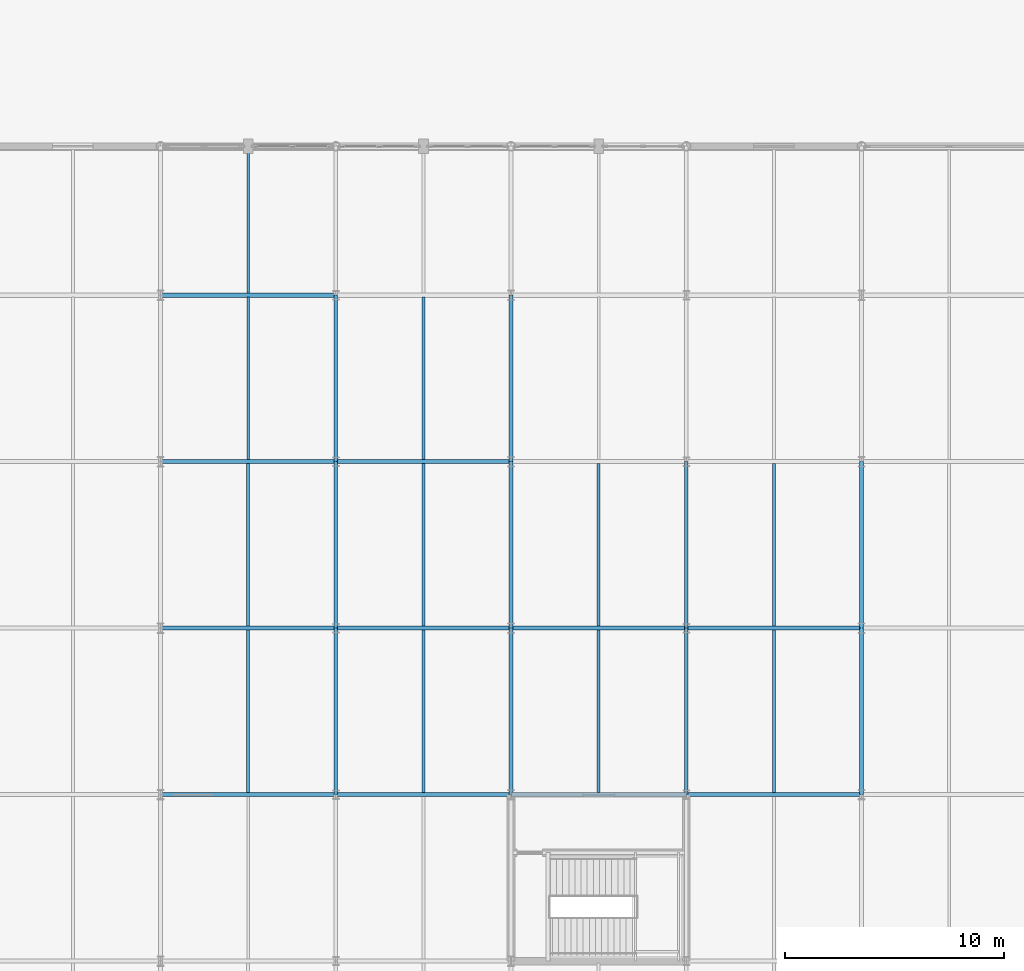
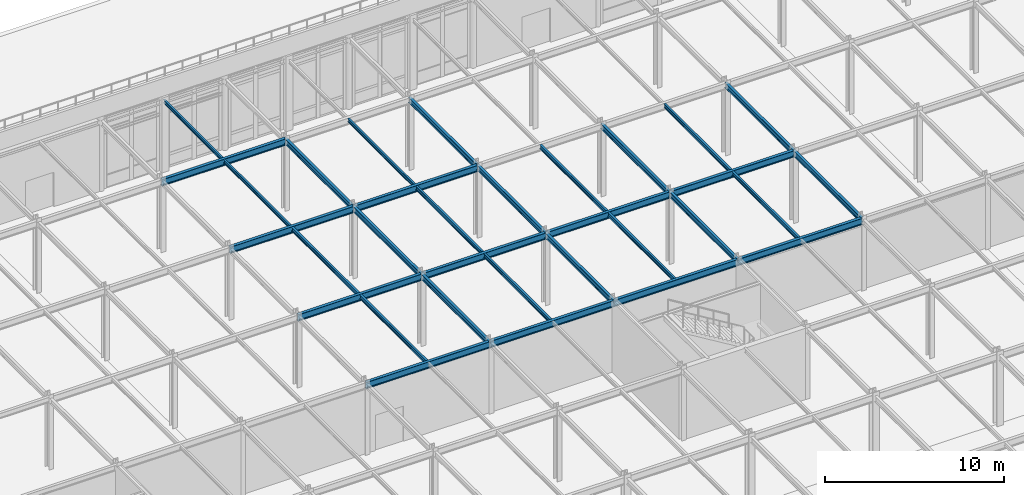
# One storey, part 46 of 113: 32 beams.
"""IFC4 building model written with IfcOpenShell, lengths in metres."""

from ifc_helpers import new_model, si_unit, direction, frame, origin, origin_2d, place, context, subcontext, project, spatial, i_section, extrude, material, material_profile, profile_set, type_object, element, save


model = new_model("IFC4")

# Units and contexts
model_context = context("Model", 3, precision=1e-05, world=origin(), true_north=direction((0.0, 1.0)))
body_context = subcontext(model_context, "Body", "Model", "MODEL_VIEW")
ifc_project = project(units=[si_unit("LENGTHUNIT", "METRE"), si_unit("AREAUNIT", "SQUARE_METRE"), si_unit("VOLUMEUNIT", "CUBIC_METRE"), si_unit("PLANEANGLEUNIT", "RADIAN"), si_unit("MASSUNIT", "GRAM", prefix="KILO")], contexts=[model_context])

# Site, building, storey
site_placement = place(None, origin())
site = spatial("IfcSite", under=ifc_project, at=site_placement, CompositionType="ELEMENT")
building_placement = place(site_placement, origin())
building = spatial("IfcBuilding", under=site, at=building_placement, Name="Shalkamar Park Central Library", CompositionType="ELEMENT")
storey_placement = place(building_placement, frame((0.0, 0.0, 5.39990234375)))
storey = spatial("IfcBuildingStorey", under=building, at=storey_placement, Name="L02", CompositionType="ELEMENT", Elevation=5.39990234375)

# Beams
ifc_material = material(Name="Steel S355", Category="steel")
ifc_material_profile_1 = material_profile(ifc_material, i_section(OverallWidth=0.1201171875, OverallDepth=0.239990234375, WebThickness=0.006103515625, FlangeThickness=0.009765625, FilletRadius=0.014892578125, at=origin_2d()), Name="IPE 240")
ifc_profile_set_1 = profile_set([ifc_material_profile_1], Name="Steel S355")
beam_type_1 = type_object("IfcBeamType", Name="Composite Floor Joist IPE240", PredefinedType="JOIST", material=ifc_profile_set_1)
beam_1_placement = place(storey_placement, frame((185.0, 323.693115234375, 4.72998046875), z_axis=(0.0, 1.0, 0.0), x_axis=(-1.0, 0.0, 0.0)))
element("IfcBeam", 1, at=beam_1_placement, inside=storey, type_object=beam_type_1, Name="Composite Joist 09/M-1 (L02)", PredefinedType="JOIST", context=body_context, shape_type="SweptSolid", body=[
    extrude(i_section(OverallWidth=0.1201171875, OverallDepth=0.239990234375, WebThickness=0.006103515625, FlangeThickness=0.009765625, FilletRadius=0.014892578125, at=origin_2d()), origin(), (0.0, 0.0, 1.0), 7.413818359375),
])
beam_2_placement = place(storey_placement, frame((185.0, 331.29296875, 4.72998046875), z_axis=(0.0, 1.0, 0.0), x_axis=(-1.0, 0.0, 0.0)))
element("IfcBeam", 2, at=beam_2_placement, inside=storey, type_object=beam_type_1, Name="Composite Joist 09/N-1 (L02)", PredefinedType="JOIST", context=body_context, shape_type="SweptSolid", body=[
    extrude(i_section(OverallWidth=0.1201171875, OverallDepth=0.239990234375, WebThickness=0.006103515625, FlangeThickness=0.009765625, FilletRadius=0.014892578125, at=origin_2d()), origin(), (0.0, 0.0, 1.0), 6.55908203125),
])
beam_3_placement = place(storey_placement, frame((193.0, 323.693115234375, 4.72998046875), z_axis=(0.0, 1.0, 0.0), x_axis=(-1.0, 0.0, 0.0)))
element("IfcBeam", 3, at=beam_3_placement, inside=storey, type_object=beam_type_1, Name="Composite Joist 10/M-1 (L02)", PredefinedType="JOIST", context=body_context, shape_type="SweptSolid", body=[
    extrude(i_section(OverallWidth=0.1201171875, OverallDepth=0.239990234375, WebThickness=0.006103515625, FlangeThickness=0.009765625, FilletRadius=0.014892578125, at=origin_2d()), origin(), (0.0, 0.0, 1.0), 7.413818359375),
])
ifc_material_profile_2 = material_profile(ifc_material, i_section(OverallWidth=0.135009765625, OverallDepth=0.27001953125, WebThickness=0.006591796875, FlangeThickness=0.01025390625, FilletRadius=0.014892578125, at=origin_2d()), Name="IPE 270")
ifc_profile_set_2 = profile_set([ifc_material_profile_2], Name="Steel S355")
beam_type_2 = type_object("IfcBeamType", Name="Composite Floor Joist IPE270", PredefinedType="JOIST", material=ifc_profile_set_2)
for number, where, z_axis, x_axis, name in (
    (4, (185.0, 308.492919921875, 4.72509765625), (0.0, 1.0, 0.0), (-1.0, 0.0, 0.0), "Composite Joist 09/K-1 (L02)"),
    (5, (185.0, 316.093017578125, 4.72509765625), (0.0, 1.0, 0.0), (-1.0, 0.0, 0.0), "Composite Joist 09/L-1 (L02)"),
    (6, (193.0, 308.492919921875, 4.72509765625), (0.0, 1.0, 0.0), (-1.0, 0.0, 0.0), "Composite Joist 10/K-1 (L02)"),
    (7, (193.0, 316.093017578125, 4.72509765625), (0.0, 1.0, 0.0), (-1.0, 0.0, 0.0), "Composite Joist 10/L-1 (L02)"),
    (8, (201.0, 308.492919921875, 4.72509765625), (0.0, 1.0, 0.0), (-1.0, 0.0, 0.0), "Composite Joist 11/K-1 (L02)"),
    (9, (201.0, 316.093017578125, 4.72509765625), (0.0, 1.0, 0.0), (-1.0, 0.0, 0.0), "Composite Joist 11/L-1 (L02)"),
    (10, (209.0, 308.492919921875, 4.72509765625), (0.0, 1.0, 0.0), (-1.0, 0.0, 0.0), "Composite Joist 12/K-1 (L02)"),
    (11, (209.0, 316.093017578125, 4.72509765625), (0.0, 1.0, 0.0), (-1.0, 0.0, 0.0), "Composite Joist 12/L-1 (L02)"),
):
    element("IfcBeam", number, at=place(storey_placement, frame(where, z_axis=z_axis, x_axis=x_axis)), inside=storey, type_object=beam_type_2, Name=name, PredefinedType="JOIST", context=body_context, shape_type="SweptSolid", body=[
        extrude(i_section(OverallWidth=0.135009765625, OverallDepth=0.27001953125, WebThickness=0.006591796875, FlangeThickness=0.01025390625, FilletRadius=0.014892578125, at=origin_2d()), origin(), (0.0, 0.0, 1.0), 7.4140625),
    ])
ifc_material_profile_3 = material_profile(ifc_material, i_section(OverallWidth=0.169921875, OverallDepth=0.360107421875, WebThickness=0.008056640625, FlangeThickness=0.0126953125, FilletRadius=0.01806640625, at=origin_2d()), Name="IPE 360")
ifc_profile_set_3 = profile_set([ifc_material_profile_3], Name="Steel S355")
beam_type_3 = type_object("IfcBeamType", Name="Primary Girder IPE360", PredefinedType="BEAM", material=ifc_profile_set_3)
for number, where, z_axis, x_axis, name in (
    (12, (189.0, 308.39990234375, 4.68017578125), (0.0, 1.0, 0.0), (-1.0, 0.0, 0.0), "Beam 10:K-L (L02)"),
    (13, (189.0, 316.0, 4.68017578125), (0.0, 1.0, 0.0), (-1.0, 0.0, 0.0), "Beam 10:L-M (L02)"),
):
    element("IfcBeam", number, at=place(storey_placement, frame(where, z_axis=z_axis, x_axis=x_axis)), inside=storey, type_object=beam_type_3, Name=name, PredefinedType="BEAM", context=body_context, shape_type="SweptSolid", body=[
        extrude(i_section(OverallWidth=0.169921875, OverallDepth=0.360107421875, WebThickness=0.008056640625, FlangeThickness=0.0126953125, FilletRadius=0.01806640625, at=origin_2d()), origin(), (0.0, 0.0, 1.0), 7.60009765625),
    ])
beam_4_placement = place(storey_placement, frame((189.0, 323.60009765625, 4.670166015625), z_axis=(0.0, 1.0, 0.0), x_axis=(-1.0, 0.0, 0.0)))
element("IfcBeam", 14, at=beam_4_placement, inside=storey, type_object=beam_type_3, Name="Beam 10:M-N (L02)", PredefinedType="BEAM", context=body_context, shape_type="SweptSolid", body=[
    extrude(i_section(OverallWidth=0.169921875, OverallDepth=0.360107421875, WebThickness=0.008056640625, FlangeThickness=0.0126953125, FilletRadius=0.01806640625, at=origin_2d()), origin(), (0.0, 0.0, 1.0), 7.599853515625),
])
for number, where, z_axis, x_axis, name in (
    (15, (197.0, 308.39990234375, 4.68017578125), (0.0, 1.0, 0.0), (-1.0, 0.0, 0.0), "Beam 11:K-L (L02)"),
    (16, (197.0, 316.0, 4.68017578125), (0.0, 1.0, 0.0), (-1.0, 0.0, 0.0), "Beam 11:L-M (L02)"),
):
    element("IfcBeam", number, at=place(storey_placement, frame(where, z_axis=z_axis, x_axis=x_axis)), inside=storey, type_object=beam_type_3, Name=name, PredefinedType="BEAM", context=body_context, shape_type="SweptSolid", body=[
        extrude(i_section(OverallWidth=0.169921875, OverallDepth=0.360107421875, WebThickness=0.008056640625, FlangeThickness=0.0126953125, FilletRadius=0.01806640625, at=origin_2d()), origin(), (0.0, 0.0, 1.0), 7.60009765625),
    ])
beam_5_placement = place(storey_placement, frame((197.0, 323.60009765625, 4.670166015625), z_axis=(0.0, 1.0, 0.0), x_axis=(-1.0, 0.0, 0.0)))
element("IfcBeam", 17, at=beam_5_placement, inside=storey, type_object=beam_type_3, Name="Beam 11:M-N (L02)", PredefinedType="BEAM", context=body_context, shape_type="SweptSolid", body=[
    extrude(i_section(OverallWidth=0.169921875, OverallDepth=0.360107421875, WebThickness=0.008056640625, FlangeThickness=0.0126953125, FilletRadius=0.01806640625, at=origin_2d()), origin(), (0.0, 0.0, 1.0), 7.599853515625),
])
for number, where, z_axis, x_axis, name in (
    (18, (205.0, 308.39990234375, 4.68017578125), (0.0, 1.0, 0.0), (-1.0, 0.0, 0.0), "Beam 12:K-L (L02)"),
    (19, (205.0, 316.0, 4.68017578125), (0.0, 1.0, 0.0), (-1.0, 0.0, 0.0), "Beam 12:L-M (L02)"),
    (20, (213.0, 308.39990234375, 4.68017578125), (0.0, 1.0, 0.0), (-1.0, 0.0, 0.0), "Beam 13:K-L (L02)"),
    (21, (213.0, 316.0, 4.68017578125), (0.0, 1.0, 0.0), (-1.0, 0.0, 0.0), "Beam 13:L-M (L02)"),
):
    element("IfcBeam", number, at=place(storey_placement, frame(where, z_axis=z_axis, x_axis=x_axis)), inside=storey, type_object=beam_type_3, Name=name, PredefinedType="BEAM", context=body_context, shape_type="SweptSolid", body=[
        extrude(i_section(OverallWidth=0.169921875, OverallDepth=0.360107421875, WebThickness=0.008056640625, FlangeThickness=0.0126953125, FilletRadius=0.01806640625, at=origin_2d()), origin(), (0.0, 0.0, 1.0), 7.60009765625),
    ])
ifc_material_profile_4 = material_profile(ifc_material, i_section(OverallWidth=0.18994140625, OverallDepth=0.449951171875, WebThickness=0.009521484375, FlangeThickness=0.0146484375, FilletRadius=0.02099609375, at=origin_2d()), Name="IPE 450")
ifc_profile_set_4 = profile_set([ifc_material_profile_4], Name="Steel S355")
beam_type_4 = type_object("IfcBeamType", Name="Primary Girder IPE450", PredefinedType="BEAM", material=ifc_profile_set_4)
for number, where, z_axis, x_axis, name in (
    (22, (181.0, 308.39990234375, 4.635009765625), (1.0, 0.0, 0.0), (0.0, 1.0, 0.0), "Beam K:09-10 (L02)"),
    (23, (189.0, 308.39990234375, 4.635009765625), (1.0, 0.0, 0.0), (0.0, 1.0, 0.0), "Beam K:10-11 (L02)"),
    (24, (197.0, 308.39990234375, 4.635009765625), (1.0, 0.0, 0.0), (0.0, 1.0, 0.0), "Beam K:11-12 (L02)"),
    (25, (205.0, 308.39990234375, 4.635009765625), (1.0, 0.0, 0.0), (0.0, 1.0, 0.0), "Beam K:12-13 (L02)"),
    (26, (181.0, 316.0, 4.635009765625), (1.0, 0.0, 0.0), (0.0, 1.0, 0.0), "Beam L:09-10 (L02)"),
    (27, (189.0, 316.0, 4.635009765625), (1.0, 0.0, 0.0), (0.0, 1.0, 0.0), "Beam L:10-11 (L02)"),
    (28, (197.0, 316.0, 4.635009765625), (1.0, 0.0, 0.0), (0.0, 1.0, 0.0), "Beam L:11-12 (L02)"),
    (29, (205.0, 316.0, 4.635009765625), (1.0, 0.0, 0.0), (0.0, 1.0, 0.0), "Beam L:12-13 (L02)"),
    (30, (181.0, 323.60009765625, 4.635009765625), (1.0, 0.0, 0.0), (0.0, 1.0, 0.0), "Beam M:09-10 (L02)"),
    (31, (189.0, 323.60009765625, 4.635009765625), (1.0, 0.0, 0.0), (0.0, 1.0, 0.0), "Beam M:10-11 (L02)"),
    (32, (181.0, 331.199951171875, 4.625), (1.0, 0.0, 0.0), (0.0, 1.0, 0.0), "Beam N:09-10 (L02)"),
):
    element("IfcBeam", number, at=place(storey_placement, frame(where, z_axis=z_axis, x_axis=x_axis)), inside=storey, type_object=beam_type_4, Name=name, PredefinedType="BEAM", context=body_context, shape_type="SweptSolid", body=[
        extrude(i_section(OverallWidth=0.18994140625, OverallDepth=0.449951171875, WebThickness=0.009521484375, FlangeThickness=0.0146484375, FilletRadius=0.02099609375, at=origin_2d()), origin(), (0.0, 0.0, 1.0), 8.0),
    ])

save(model, "model.ifc")
